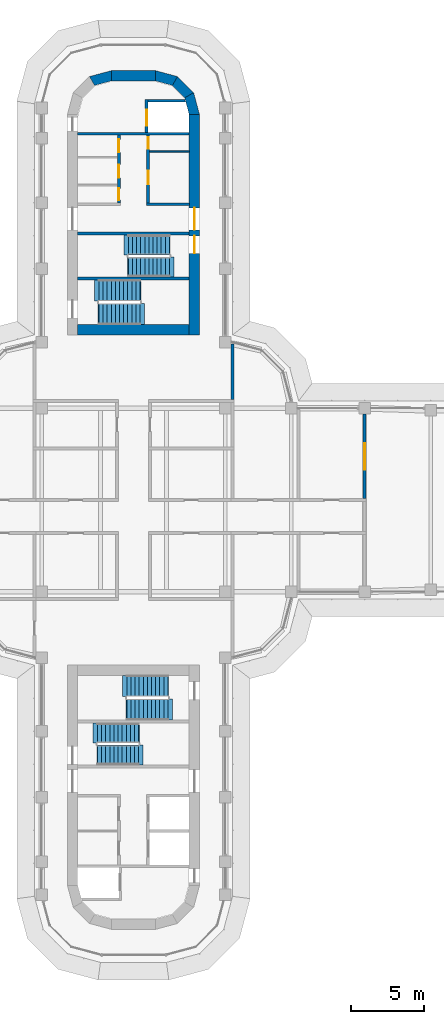
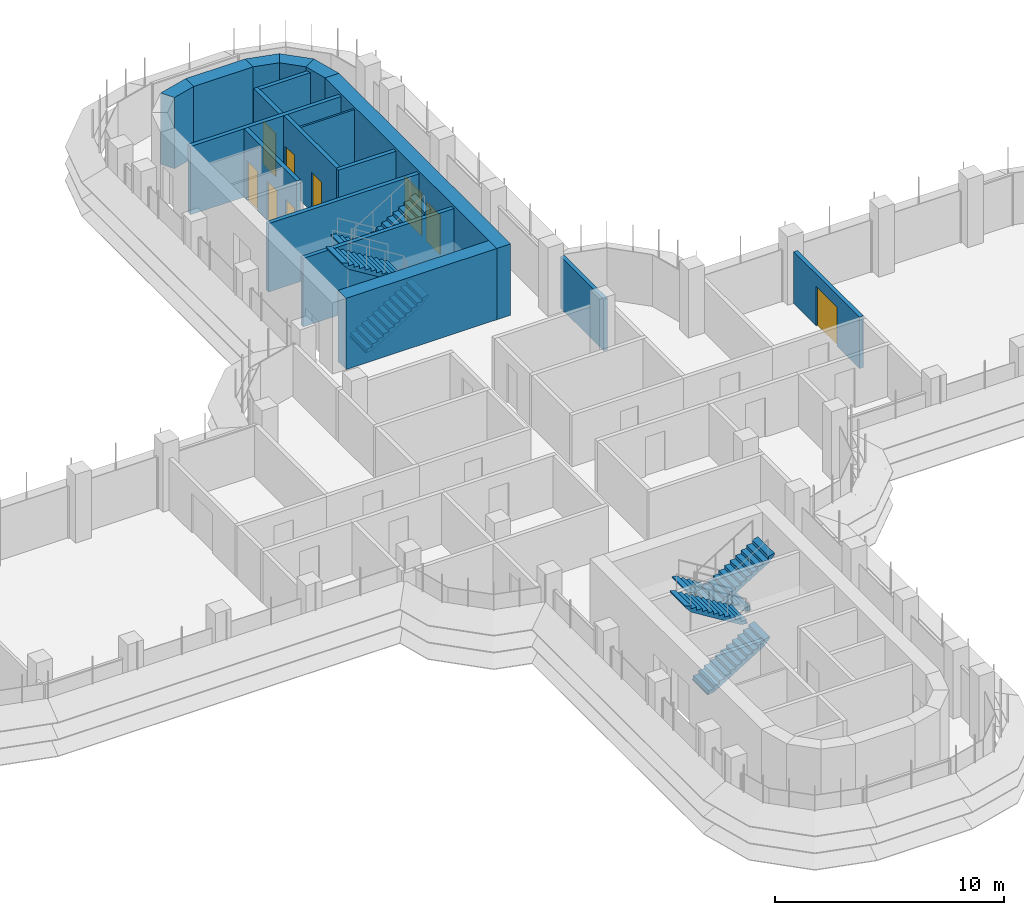
# One storey, part 15 of 19: 18 walls, 9 doors, 8 stair flights, 9 openings, 4 elements without a shape of their own.
"""IFC4 building model written with IfcOpenShell, lengths in metres."""

from ifc_helpers import new_model, si_unit, direction, frame, frame_2d, origin, place, context, subcontext, project, spatial, polyline, rectangle, outline, extrude, material, layer, layer_set, type_object, element, fill, aggregate, save


model = new_model("IFC4")

# Units and contexts
model_context = context("Model", 3, precision=1e-05, world=origin(), true_north=direction((0.0, 1.0)))
body_context = subcontext(model_context, "Body", "Model", "MODEL_VIEW")
ifc_project = project(units=[si_unit("LENGTHUNIT", "METRE"), si_unit("AREAUNIT", "SQUARE_METRE"), si_unit("VOLUMEUNIT", "CUBIC_METRE"), si_unit("PLANEANGLEUNIT", "RADIAN"), si_unit("MASSUNIT", "GRAM", prefix="KILO")], contexts=[model_context])

# Site, building, storey
site_placement = place(None, origin())
site = spatial("IfcSite", under=ifc_project, at=site_placement, CompositionType="ELEMENT")
building_placement = place(site_placement, origin())
building = spatial("IfcBuilding", under=site, at=building_placement, Name="Zarbagh Exchange Tower", CompositionType="ELEMENT")
storey_placement = place(building_placement, frame((0.0, 0.0, 160.0)))
storey = spatial("IfcBuildingStorey", under=building, at=storey_placement, Name="L38", CompositionType="ELEMENT", Elevation=160.0)

# Walls
ifc_material_1 = material(Name="Dense blockwork", Category="masonry")
ifc_layer_1 = layer(ifc_material_1, 0.10009765625)
ifc_layer_set_1 = layer_set([ifc_layer_1], Name="Core partition 100 mm blockwork")
wall_type_1 = type_object("IfcWallType", Name="Core partition 100 mm blockwork", PredefinedType="PARTITIONING", material=ifc_layer_set_1)
wall_1_placement = place(storey_placement, frame((1.10009765625, 23.75, 0.0), z_axis=(0.0, 0.0, 1.0), x_axis=(1.0, 0.0, 0.0)))
element("IfcWall", 1, at=wall_1_placement, inside=storey, type_object=wall_type_1, Name="North core partition wall CUT-E-460", PredefinedType="PARTITIONING", context=body_context, shape_type="SweptSolid", body=[
    extrude(rectangle(XDim=2.699951171875, YDim=0.10009765625, at=frame_2d((1.35009765625, 0.0))), origin(), (0.0, 0.0, 1.0), 3.64990234375),
])
ifc_material_2 = material(Name="Fire-rated plasterboard partition")
ifc_layer_2 = layer(ifc_material_2, 0.199951171875)
ifc_layer_set_2 = layer_set([ifc_layer_2], Name="RATED PARTITION 200")
wall_type_2 = type_object("IfcWallType", Name="RATED PARTITION 200", PredefinedType="PARTITIONING", material=ifc_layer_set_2)
wall_2_placement = place(storey_placement, frame((6.75, 6.85009765625, 0.0), z_axis=(0.0, 0.0, 1.0), x_axis=(0.0, 1.0, 0.0)))
element("IfcWall", 2, at=wall_2_placement, inside=storey, type_object=wall_type_2, Name="Partition W-1722", PredefinedType="PARTITIONING", context=body_context, shape_type="SweptSolid", body=[
    extrude(rectangle(XDim=3.77978515625, YDim=0.199951171875, at=frame_2d((1.889892578125, 0.0))), origin(), (0.0, 0.0, 1.0), 2.75),
])

# Wall, opening, door
wall_3_placement = place(storey_placement, frame((15.75, 5.85009765625, 0.0), z_axis=(0.0, 0.0, 1.0), x_axis=(0.0, -1.0, 0.0)))
wall_3 = element("IfcWall", 3, at=wall_3_placement, inside=storey, type_object=wall_type_2, Name="Partition W-1742", PredefinedType="PARTITIONING", context=body_context, shape_type="SweptSolid", body=[
    extrude(rectangle(XDim=5.75, YDim=0.199951171875, at=frame_2d((2.875, 0.0))), origin(), (0.0, 0.0, 1.0), 2.75),
])
opening_1_placement = place(wall_3_placement, frame((1.97509765625, 0.0, 0.0)))
opening_1 = element("IfcOpeningElement", 4, at=opening_1_placement, cuts=wall_3, Name="Opening D-1701", PredefinedType="OPENING", context=body_context, shape_type="SweptSolid", body=[
    extrude(rectangle(XDim=1.800048828125, YDim=2.10009765625, at=frame_2d((0.89990234375, 1.050048828125))), frame((0.0, 0.10986328125, 0.0), z_axis=(0.0, -1.0, 0.0), x_axis=(1.0, 0.0, 0.0)), (0.0, 0.0, 1.0), 0.219970703125),
])
ifc_material_3 = material(Name="Steel door set", Category="steel")
door_type_1 = type_object("IfcDoorType", Name="FIRE DOUBLE DOOR 1800 X 2100 FD30S", OperationType="DOUBLE_DOOR_SINGLE_SWING", PredefinedType="DOOR", material=ifc_material_3)
door_1_placement = place(opening_1_placement, origin())
door_1 = element("IfcDoor", 5, at=door_1_placement, inside=storey, type_object=door_type_1, Name="Door D-1701", OperationType="DOUBLE_DOOR_SINGLE_SWING", OverallHeight=2.10009765625, OverallWidth=1.800048828125, PredefinedType="DOOR", context=body_context, shape_type="SweptSolid", body=[
    extrude(rectangle(XDim=1.800048828125, YDim=2.10009765625, at=frame_2d((0.89990234375, 1.050048828125))), frame((0.0, 0.02490234375, 0.0), z_axis=(0.0, -1.0, 0.0), x_axis=(1.0, 0.0, 0.0)), (0.0, 0.0, 1.0), 0.050048828125),
])
fill(opening_1, door_1)

# Walls
ifc_material_4 = material(Name="Concrete C50/60", Category="concrete")
ifc_layer_3 = layer(ifc_material_4, 0.699951171875)
ifc_layer_set_3 = layer_set([ifc_layer_3], Name="RC core corner wall 700 C50/60")
wall_type_3 = type_object("IfcWallType", Name="RC core corner wall 700 C50/60", PredefinedType="SHEAR", material=ifc_layer_set_3)
wall_4_placement = place(storey_placement, origin())
element("IfcWall", 6, at=wall_4_placement, inside=storey, type_object=wall_type_3, Name="CW6 core N corner W", PredefinedType="SHEAR", context=body_context, shape_type="SweptSolid", body=[
    extrude(outline(polyline([(-3.0, 28.84814453125), (-1.5, 29.25), (-1.5, 28.550048828125), (-2.64990234375, 28.241943359375), (-3.0, 28.84814453125)])), origin(), (0.0, 0.0, 1.0), 3.800048828125),
])
wall_5_placement = place(storey_placement, origin())
element("IfcWall", 7, at=wall_5_placement, inside=storey, type_object=wall_type_3, Name="CW6 core N corner E", PredefinedType="SHEAR", context=body_context, shape_type="SweptSolid", body=[
    extrude(outline(polyline([(4.5, 26.25), (4.09814453125, 27.75), (3.491943359375, 27.39990234375), (3.800048828125, 26.25), (4.5, 26.25)])), origin(), (0.0, 0.0, 1.0), 3.800048828125),
])
wall_6_placement = place(storey_placement, origin())
element("IfcWall", 8, at=wall_6_placement, inside=storey, type_object=wall_type_3, Name="CW6 core N corner E", PredefinedType="SHEAR", context=body_context, shape_type="SweptSolid", body=[
    extrude(outline(polyline([(4.09814453125, 27.75), (3.0, 28.84814453125), (2.64990234375, 28.241943359375), (3.491943359375, 27.39990234375), (4.09814453125, 27.75)])), origin(), (0.0, 0.0, 1.0), 3.800048828125),
])
wall_7_placement = place(storey_placement, origin())
element("IfcWall", 9, at=wall_7_placement, inside=storey, type_object=wall_type_3, Name="CW6 core N corner E", PredefinedType="SHEAR", context=body_context, shape_type="SweptSolid", body=[
    extrude(outline(polyline([(3.0, 28.84814453125), (1.5, 29.25), (1.5, 28.550048828125), (2.64990234375, 28.241943359375), (3.0, 28.84814453125)])), origin(), (0.0, 0.0, 1.0), 3.800048828125),
])

# Wall, openings, doors
ifc_layer_4 = layer(ifc_material_4, 0.699951171875)
ifc_layer_set_4 = layer_set([ifc_layer_4], Name="RC core wall 700 C50/60")
wall_type_4 = type_object("IfcWallType", Name="RC core wall 700 C50/60", PredefinedType="SHEAR", material=ifc_layer_set_4)
wall_8_placement = place(storey_placement, frame((4.14990234375, 11.25, 0.0), z_axis=(0.0, 0.0, 1.0), x_axis=(0.0, 1.0, 0.0)))
wall_8 = element("IfcWall", 10, at=wall_8_placement, inside=storey, type_object=wall_type_4, Name="CW5 core N E", PredefinedType="SHEAR", context=body_context, shape_type="SweptSolid", body=[
    extrude(rectangle(XDim=15.0, YDim=0.699951171875, at=frame_2d((7.5, 0.0))), origin(), (0.0, 0.0, 1.0), 3.800048828125),
])
opening_2_placement = place(wall_8_placement, frame((7.14990234375, 0.0, 0.0)))
opening_2 = element("IfcOpeningElement", 11, at=opening_2_placement, cuts=wall_8, Name="Opening CD1-1500", PredefinedType="OPENING", context=body_context, shape_type="SweptSolid", body=[
    extrude(rectangle(XDim=1.5, YDim=2.300048828125, at=frame_2d((0.75, 1.14990234375))), frame((0.0, 0.35986328125, 0.0), z_axis=(0.0, -1.0, 0.0), x_axis=(1.0, 0.0, 0.0)), (0.0, 0.0, 1.0), 0.719970703125),
])
opening_3_placement = place(wall_8_placement, frame((5.550048828125, 0.0, 0.0)))
opening_3 = element("IfcOpeningElement", 12, at=opening_3_placement, cuts=wall_8, Name="Opening SD1-1200", PredefinedType="OPENING", context=body_context, shape_type="SweptSolid", body=[
    extrude(rectangle(XDim=1.199951171875, YDim=2.10009765625, at=frame_2d((0.60009765625, 1.050048828125))), frame((0.0, 0.35986328125, 0.0), z_axis=(0.0, -1.0, 0.0), x_axis=(1.0, 0.0, 0.0)), (0.0, 0.0, 1.0), 0.719970703125),
])
ifc_material_5 = material(Name="Steel", Category="steel")
door_type_2 = type_object("IfcDoorType", Name="Exit stair door 1200 x 2100", OperationType="NOTDEFINED", PredefinedType="DOOR", material=ifc_material_5)
door_2_placement = place(opening_3_placement, origin())
door_2 = element("IfcDoor", 13, at=door_2_placement, inside=storey, type_object=door_type_2, Name="North core stair door ST1", OperationType="SINGLE_SWING_RIGHT", OverallHeight=2.10009765625, OverallWidth=1.199951171875, PredefinedType="DOOR", context=body_context, shape_type="SweptSolid", body=[
    extrude(rectangle(XDim=1.199951171875, YDim=2.10009765625, at=frame_2d((0.60009765625, 1.050048828125))), frame((0.0, 0.02490234375, 0.0), z_axis=(0.0, -1.0, 0.0), x_axis=(1.0, 0.0, 0.0)), (0.0, 0.0, 1.0), 0.050048828125),
])
fill(opening_3, door_2)
door_type_3 = type_object("IfcDoorType", Name="Lift lobby double door 1500 x 2300", OperationType="NOTDEFINED", PredefinedType="DOOR", material=ifc_material_5)
door_3_placement = place(opening_2_placement, origin())
door_3 = element("IfcDoor", 14, at=door_3_placement, inside=storey, type_object=door_type_3, Name="North core lift lobby door LOBBY-E", OperationType="DOUBLE_DOOR_SINGLE_SWING", OverallHeight=2.300048828125, OverallWidth=1.5, PredefinedType="DOOR", context=body_context, shape_type="SweptSolid", body=[
    extrude(rectangle(XDim=1.5, YDim=2.300048828125, at=frame_2d((0.75, 1.14990234375))), frame((0.0, 0.02490234375, 0.0), z_axis=(0.0, -1.0, 0.0), x_axis=(1.0, 0.0, 0.0)), (0.0, 0.0, 1.0), 0.050048828125),
])
fill(opening_2, door_3)

# Walls
wall_9_placement = place(storey_placement, frame((-3.800048828125, 11.60009765625, 0.0), z_axis=(0.0, 0.0, 1.0), x_axis=(1.0, 0.0, 0.0)))
element("IfcWall", 15, at=wall_9_placement, inside=storey, type_object=wall_type_4, Name="CW5 core N inner end", PredefinedType="SHEAR", context=body_context, shape_type="SweptSolid", body=[
    extrude(rectangle(XDim=7.60009765625, YDim=0.699951171875, at=frame_2d((3.800048828125, 0.0))), origin(), (0.0, 0.0, 1.0), 3.800048828125),
])
wall_10_placement = place(storey_placement, frame((-1.5, 28.89990234375, 0.0), z_axis=(0.0, 0.0, 1.0), x_axis=(1.0, 0.0, 0.0)))
element("IfcWall", 16, at=wall_10_placement, inside=storey, type_object=wall_type_4, Name="CW5 core N outer end", PredefinedType="SHEAR", context=body_context, shape_type="SweptSolid", body=[
    extrude(rectangle(XDim=3.0, YDim=0.699951171875, at=frame_2d((1.5, 0.0))), origin(), (0.0, 0.0, 1.0), 3.800048828125),
])

# Wall, openings, doors
ifc_layer_5 = layer(ifc_material_1, 0.199951171875)
ifc_layer_set_5 = layer_set([ifc_layer_5], Name="Shaft wall 200 mm blockwork")
wall_type_5 = type_object("IfcWallType", Name="Shaft wall 200 mm blockwork", PredefinedType="PARTITIONING", material=ifc_layer_set_5)
wall_11_placement = place(storey_placement, frame((-1.0, 24.85009765625, 0.0), z_axis=(0.0, 0.0, 1.0), x_axis=(0.0, -1.0, 0.0)))
wall_11 = element("IfcWall", 17, at=wall_11_placement, inside=storey, type_object=wall_type_5, Name="North core shaft wall LW-W", PredefinedType="PARTITIONING", context=body_context, shape_type="SweptSolid", body=[
    extrude(rectangle(XDim=4.60009765625, YDim=0.199951171875, at=frame_2d((2.300048828125, 0.0))), origin(), (0.0, 0.0, 1.0), 3.64990234375),
])
opening_4_placement = place(wall_11_placement, frame((0.27490234375, 0.0, 0.0)))
opening_4 = element("IfcOpeningElement", 18, at=opening_4_placement, cuts=wall_11, Name="Opening CD3-900", PredefinedType="OPENING", context=body_context, shape_type="SweptSolid", body=[
    extrude(rectangle(XDim=0.89990234375, YDim=2.10009765625, at=frame_2d((0.449951171875, 1.050048828125))), frame((0.0, 0.10986328125, 0.0), z_axis=(0.0, -1.0, 0.0), x_axis=(1.0, 0.0, 0.0)), (0.0, 0.0, 1.0), 0.219970703125),
])
opening_5_placement = place(wall_11_placement, frame((2.0, 0.0, 0.0)))
opening_5 = element("IfcOpeningElement", 19, at=opening_5_placement, cuts=wall_11, Name="Opening CD3-900", PredefinedType="OPENING", context=body_context, shape_type="SweptSolid", body=[
    extrude(rectangle(XDim=0.89990234375, YDim=2.10009765625, at=frame_2d((0.449951171875, 1.050048828125))), frame((0.0, 0.10986328125, 0.0), z_axis=(0.0, -1.0, 0.0), x_axis=(1.0, 0.0, 0.0)), (0.0, 0.0, 1.0), 0.219970703125),
])
opening_6_placement = place(wall_11_placement, frame((3.625, 0.0, 0.0)))
opening_6 = element("IfcOpeningElement", 20, at=opening_6_placement, cuts=wall_11, Name="Opening CD3-800", PredefinedType="OPENING", context=body_context, shape_type="SweptSolid", body=[
    extrude(rectangle(XDim=0.800048828125, YDim=2.10009765625, at=frame_2d((0.39990234375, 1.050048828125))), frame((0.0, 0.10986328125, 0.0), z_axis=(0.0, -1.0, 0.0), x_axis=(1.0, 0.0, 0.0)), (0.0, 0.0, 1.0), 0.219970703125),
])
door_type_4 = type_object("IfcDoorType", Name="Core room door 800 x 2100", OperationType="NOTDEFINED", PredefinedType="DOOR", material=ifc_material_5)
door_4_placement = place(opening_6_placement, origin())
door_4 = element("IfcDoor", 21, at=door_4_placement, inside=storey, type_object=door_type_4, Name="North core IT room door RD-W-2", OperationType="SINGLE_SWING_RIGHT", OverallHeight=2.10009765625, OverallWidth=0.800048828125, PredefinedType="DOOR", context=body_context, shape_type="SweptSolid", body=[
    extrude(rectangle(XDim=0.800048828125, YDim=2.10009765625, at=frame_2d((0.39990234375, 1.050048828125))), frame((0.0, 0.02490234375, 0.0), z_axis=(0.0, -1.0, 0.0), x_axis=(1.0, 0.0, 0.0)), (0.0, 0.0, 1.0), 0.050048828125),
])
fill(opening_6, door_4)
door_type_5 = type_object("IfcDoorType", Name="Core room door 900 x 2100", OperationType="NOTDEFINED", PredefinedType="DOOR", material=ifc_material_5)
door_5_placement = place(opening_4_placement, origin())
door_5 = element("IfcDoor", 22, at=door_5_placement, inside=storey, type_object=door_type_5, Name="North core Cleaner's store door RD-W-0", OperationType="SINGLE_SWING_RIGHT", OverallHeight=2.10009765625, OverallWidth=0.89990234375, PredefinedType="DOOR", context=body_context, shape_type="SweptSolid", body=[
    extrude(rectangle(XDim=0.89990234375, YDim=2.10009765625, at=frame_2d((0.449951171875, 1.050048828125))), frame((0.0, 0.02490234375, 0.0), z_axis=(0.0, -1.0, 0.0), x_axis=(1.0, 0.0, 0.0)), (0.0, 0.0, 1.0), 0.050048828125),
])
fill(opening_4, door_5)
door_6_placement = place(opening_5_placement, origin())
door_6 = element("IfcDoor", 23, at=door_6_placement, inside=storey, type_object=door_type_5, Name="North core Pantry door RD-W-1", OperationType="SINGLE_SWING_LEFT", OverallHeight=2.10009765625, OverallWidth=0.89990234375, PredefinedType="DOOR", context=body_context, shape_type="SweptSolid", body=[
    extrude(rectangle(XDim=0.89990234375, YDim=2.10009765625, at=frame_2d((0.449951171875, 1.050048828125))), frame((0.0, 0.02490234375, 0.0), z_axis=(0.0, -1.0, 0.0), x_axis=(1.0, 0.0, 0.0)), (0.0, 0.0, 1.0), 0.050048828125),
])
fill(opening_5, door_6)

# Wall
wall_12_placement = place(storey_placement, frame((0.89990234375, 20.14990234375, 0.0), z_axis=(0.0, 0.0, 1.0), x_axis=(1.0, 0.0, 0.0)))
element("IfcWall", 24, at=wall_12_placement, inside=storey, type_object=wall_type_5, Name="North core shaft wall AB-E", PredefinedType="PARTITIONING", context=body_context, shape_type="SweptSolid", body=[
    extrude(rectangle(XDim=2.900146484375, YDim=0.199951171875, at=frame_2d((1.4501953125, 0.0))), origin(), (0.0, 0.0, 1.0), 3.64990234375),
])

# Wall, openings, doors
wall_13_placement = place(storey_placement, frame((1.0, 24.85009765625, 0.0), z_axis=(0.0, 0.0, 1.0), x_axis=(0.0, -1.0, 0.0)))
wall_13 = element("IfcWall", 25, at=wall_13_placement, inside=storey, type_object=wall_type_5, Name="North core shaft wall LW-E", PredefinedType="PARTITIONING", context=body_context, shape_type="SweptSolid", body=[
    extrude(rectangle(XDim=4.60009765625, YDim=0.199951171875, at=frame_2d((2.300048828125, 0.0))), origin(), (0.0, 0.0, 1.0), 3.64990234375),
])
opening_7_placement = place(wall_13_placement, frame((0.125, 0.0, 0.0)))
opening_7 = element("IfcOpeningElement", 26, at=opening_7_placement, cuts=wall_13, Name="Opening CD3-800", PredefinedType="OPENING", context=body_context, shape_type="SweptSolid", body=[
    extrude(rectangle(XDim=0.800048828125, YDim=2.10009765625, at=frame_2d((0.39990234375, 1.050048828125))), frame((0.0, 0.10986328125, 0.0), z_axis=(0.0, -1.0, 0.0), x_axis=(1.0, 0.0, 0.0)), (0.0, 0.0, 1.0), 0.219970703125),
])
opening_8_placement = place(wall_13_placement, frame((2.425048828125, 0.0, 0.0)))
opening_8 = element("IfcOpeningElement", 27, at=opening_8_placement, cuts=wall_13, Name="Opening CD3-900", PredefinedType="OPENING", context=body_context, shape_type="SweptSolid", body=[
    extrude(rectangle(XDim=0.89990234375, YDim=2.10009765625, at=frame_2d((0.449951171875, 1.050048828125))), frame((0.0, 0.10986328125, 0.0), z_axis=(0.0, -1.0, 0.0), x_axis=(1.0, 0.0, 0.0)), (0.0, 0.0, 1.0), 0.219970703125),
])
door_7_placement = place(opening_7_placement, origin())
door_7 = element("IfcDoor", 28, at=door_7_placement, inside=storey, type_object=door_type_4, Name="North core Store door RD-E-0", OperationType="SINGLE_SWING_LEFT", OverallHeight=2.10009765625, OverallWidth=0.800048828125, PredefinedType="DOOR", context=body_context, shape_type="SweptSolid", body=[
    extrude(rectangle(XDim=0.800048828125, YDim=2.10009765625, at=frame_2d((0.39990234375, 1.050048828125))), frame((0.0, 0.02490234375, 0.0), z_axis=(0.0, -1.0, 0.0), x_axis=(1.0, 0.0, 0.0)), (0.0, 0.0, 1.0), 0.050048828125),
])
fill(opening_7, door_7)
door_8_placement = place(opening_8_placement, origin())
door_8 = element("IfcDoor", 29, at=door_8_placement, inside=storey, type_object=door_type_5, Name="North core Staff WC door RD-E-1", OperationType="SINGLE_SWING_RIGHT", OverallHeight=2.10009765625, OverallWidth=0.89990234375, PredefinedType="DOOR", context=body_context, shape_type="SweptSolid", body=[
    extrude(rectangle(XDim=0.89990234375, YDim=2.10009765625, at=frame_2d((0.449951171875, 1.050048828125))), frame((0.0, 0.02490234375, 0.0), z_axis=(0.0, -1.0, 0.0), x_axis=(1.0, 0.0, 0.0)), (0.0, 0.0, 1.0), 0.050048828125),
])
fill(opening_8, door_8)

# Wall
ifc_material_6 = material(Name="Concrete C40/50", Category="concrete")
ifc_layer_6 = layer(ifc_material_6, 0.199951171875)
ifc_layer_set_6 = layer_set([ifc_layer_6], Name="Stair enclosure wall 200 mm RC C40/50")
wall_type_6 = type_object("IfcWallType", Name="Stair enclosure wall 200 mm RC C40/50", PredefinedType="SHEAR", material=ifc_layer_set_6)
wall_14_placement = place(storey_placement, frame((-3.800048828125, 24.949951171875, 0.0), z_axis=(0.0, 0.0, 1.0), x_axis=(1.0, 0.0, 0.0)))
element("IfcWall", 30, at=wall_14_placement, inside=storey, type_object=wall_type_6, Name="North core lift shaft wall FFA", PredefinedType="SHEAR", context=body_context, shape_type="SweptSolid", body=[
    extrude(rectangle(XDim=7.60009765625, YDim=0.199951171875, at=frame_2d((3.800048828125, 0.0))), origin(), (0.0, 0.0, 1.0), 3.64990234375),
])

# Wall, opening, door
wall_15_placement = place(storey_placement, frame((0.89990234375, 27.300048828125, 0.0), z_axis=(0.0, 0.0, 1.0), x_axis=(0.0, -1.0, 0.0)))
wall_15 = element("IfcWall", 31, at=wall_15_placement, inside=storey, type_object=wall_type_6, Name="North core lift shaft wall FFL", PredefinedType="SHEAR", context=body_context, shape_type="SweptSolid", body=[
    extrude(rectangle(XDim=2.25, YDim=0.199951171875, at=frame_2d((1.125, 0.0))), origin(), (0.0, 0.0, 1.0), 3.64990234375),
])
opening_9_placement = place(wall_15_placement, frame((0.699951171875, 0.0, 0.0)))
opening_9 = element("IfcOpeningElement", 32, at=opening_9_placement, cuts=wall_15, Name="Opening LD-1100", PredefinedType="OPENING", context=body_context, shape_type="SweptSolid", body=[
    extrude(rectangle(XDim=1.10009765625, YDim=2.300048828125, at=frame_2d((0.550048828125, 1.14990234375))), frame((0.0, 0.10986328125, 0.0), z_axis=(0.0, -1.0, 0.0), x_axis=(1.0, 0.0, 0.0)), (0.0, 0.0, 1.0), 0.219970703125),
])
ifc_material_7 = material(Name="Stainless steel", Category="steel")
door_type_6 = type_object("IfcDoorType", Name="Lift landing door 1100 x 2300", OperationType="NOTDEFINED", PredefinedType="DOOR", material=ifc_material_7)
door_9_placement = place(opening_9_placement, origin())
door_9 = element("IfcDoor", 33, at=door_9_placement, inside=storey, type_object=door_type_6, Name="North core lift landing door LD-F", OperationType="DOUBLE_DOOR_SLIDING", OverallHeight=2.300048828125, OverallWidth=1.10009765625, PredefinedType="DOOR", context=body_context, shape_type="SweptSolid", body=[
    extrude(rectangle(XDim=1.10009765625, YDim=2.300048828125, at=frame_2d((0.550048828125, 1.14990234375))), frame((0.0, 0.02490234375, 0.0), z_axis=(0.0, -1.0, 0.0), x_axis=(1.0, 0.0, 0.0)), (0.0, 0.0, 1.0), 0.050048828125),
])
fill(opening_9, door_9)

# Walls
wall_16_placement = place(storey_placement, origin())
element("IfcWall", 34, at=wall_16_placement, inside=storey, type_object=wall_type_6, Name="North core lift shaft wall FFX", PredefinedType="SHEAR", context=body_context, shape_type="SweptSolid", body=[
    extrude(outline(polyline([(1.0, 27.10009765625), (3.547607421875, 27.10009765625), (3.493896484375, 27.300048828125), (1.0, 27.300048828125), (1.0, 27.10009765625)])), origin(), (0.0, 0.0, 1.0), 3.64990234375),
])
for number, where, z_axis, x_axis, name in (
    (35, (-3.800048828125, 18.14990234375, 0.0), (0.0, 0.0, 1.0), (1.0, 0.0, 0.0), "North core stair wall BS"),
    (36, (-3.800048828125, 15.10009765625, 0.0), (0.0, 0.0, 1.0), (1.0, 0.0, 0.0), "North core stair wall ST12"),
):
    element("IfcWall", number, at=place(storey_placement, frame(where, z_axis=z_axis, x_axis=x_axis)), inside=storey, type_object=wall_type_6, Name=name, PredefinedType="SHEAR", context=body_context, shape_type="SweptSolid", body=[
        extrude(rectangle(XDim=7.60009765625, YDim=0.199951171875, at=frame_2d((3.800048828125, 0.0))), origin(), (0.0, 0.0, 1.0), 3.64990234375),
    ])

# Stair, stair flights
stair_type = type_object("IfcStairType", Name="Exit stair two-flight half-turn", PredefinedType="HALF_TURN_STAIR", material=ifc_material_6)
stair_1_placement = place(storey_placement, origin())
stair_1 = element("IfcStair", 37, at=stair_1_placement, inside=storey, type_object=stair_type, Name="exit stair ST1", PredefinedType="HALF_TURN_STAIR")
stair_flight_type_1 = type_object("IfcStairFlightType", Name="Stair flight 1350 mm", PredefinedType="STRAIGHT", material=ifc_material_6)
stair_flight_1_placement = place(storey_placement, frame((2.449951171875, 17.375, 0.0), z_axis=(0.0, 0.0, 1.0), x_axis=(-1.0, 0.0, 0.0)))
stair_flight_1 = element("IfcStairFlight", 38, at=stair_flight_1_placement, type_object=stair_flight_type_1, Name="ST1 flight 1", NumberOfRisers=11, NumberOfTreads=10, PredefinedType="STRAIGHT", RiserHeight=0.172727273, TreadLength=0.28, context=body_context, shape_type="SweptSolid", body=[
    extrude(outline(polyline([(-0.050048828125, -0.050048828125), (-0.050048828125, 0.0), (0.0, 0.0), (0.0, 0.172607421875), (0.280029296875, 0.172607421875), (0.280029296875, 0.345458984375), (0.56005859375, 0.345458984375), (0.56005859375, 0.51806640625), (0.840087890625, 0.51806640625), (0.840087890625, 0.69091796875), (1.1201171875, 0.69091796875), (1.1201171875, 0.863525390625), (1.39990234375, 0.863525390625), (1.39990234375, 1.036376953125), (1.679931640625, 1.036376953125), (1.679931640625, 1.208984375), (1.9599609375, 1.208984375), (1.9599609375, 1.3818359375), (2.239990234375, 1.3818359375), (2.239990234375, 1.554443359375), (2.52001953125, 1.554443359375), (2.52001953125, 1.727294921875), (2.800048828125, 1.727294921875), (2.800048828125, 1.89990234375), (3.10009765625, 1.97998046875), (3.10009765625, 1.89990234375), (2.800048828125, 1.551025390625), (0.285400390625, 0.0), (-0.050048828125, -0.050048828125)])), frame((0.0, 0.675048828125, 0.0), z_axis=(0.0, -1.0, 0.0), x_axis=(1.0, 0.0, 0.0)), (0.0, 0.0, 1.0), 1.35009765625),
])
stair_flight_2_placement = place(storey_placement, frame((-0.35009765625, 15.875, 1.89990234375), z_axis=(0.0, 0.0, 1.0), x_axis=(1.0, 0.0, 0.0)))
stair_flight_2 = element("IfcStairFlight", 39, at=stair_flight_2_placement, type_object=stair_flight_type_1, Name="ST1 flight 2", NumberOfRisers=11, NumberOfTreads=10, PredefinedType="STRAIGHT", RiserHeight=0.172727273, TreadLength=0.28, context=body_context, shape_type="SweptSolid", body=[
    extrude(outline(polyline([(-0.050048828125, -0.050048828125), (-0.050048828125, 0.0), (0.0, 0.0), (0.0, 0.172607421875), (0.280029296875, 0.172607421875), (0.280029296875, 0.345458984375), (0.56005859375, 0.345458984375), (0.56005859375, 0.51806640625), (0.840087890625, 0.51806640625), (0.840087890625, 0.69091796875), (1.1201171875, 0.69091796875), (1.1201171875, 0.863525390625), (1.39990234375, 0.863525390625), (1.39990234375, 1.036376953125), (1.679931640625, 1.036376953125), (1.679931640625, 1.208984375), (1.9599609375, 1.208984375), (1.9599609375, 1.3818359375), (2.239990234375, 1.3818359375), (2.239990234375, 1.554443359375), (2.52001953125, 1.554443359375), (2.52001953125, 1.727294921875), (2.800048828125, 1.727294921875), (2.800048828125, 1.89990234375), (3.10009765625, 1.97998046875), (3.10009765625, 1.89990234375), (2.800048828125, 1.551025390625), (0.285400390625, 0.0), (-0.050048828125, -0.050048828125)])), frame((0.0, 0.675048828125, 0.0), z_axis=(0.0, -1.0, 0.0), x_axis=(1.0, 0.0, 0.0)), (0.0, 0.0, 1.0), 1.35009765625),
])
aggregate(stair_1, [stair_flight_1, stair_flight_2])

stair_2_placement = place(storey_placement, origin())
stair_2 = element("IfcStair", 40, at=stair_2_placement, inside=storey, type_object=stair_type, Name="exit stair ST3", PredefinedType="HALF_TURN_STAIR")
stair_flight_3_placement = place(storey_placement, frame((-2.449951171875, -17.375, 0.0), z_axis=(0.0, 0.0, 1.0), x_axis=(1.0, 0.0, 0.0)))
stair_flight_3 = element("IfcStairFlight", 41, at=stair_flight_3_placement, type_object=stair_flight_type_1, Name="ST3 flight 1", NumberOfRisers=11, NumberOfTreads=10, PredefinedType="STRAIGHT", RiserHeight=0.172727273, TreadLength=0.28, context=body_context, shape_type="SweptSolid", body=[
    extrude(outline(polyline([(-0.050048828125, -0.050048828125), (-0.050048828125, 0.0), (0.0, 0.0), (0.0, 0.172607421875), (0.280029296875, 0.172607421875), (0.280029296875, 0.345458984375), (0.56005859375, 0.345458984375), (0.56005859375, 0.51806640625), (0.840087890625, 0.51806640625), (0.840087890625, 0.69091796875), (1.1201171875, 0.69091796875), (1.1201171875, 0.863525390625), (1.39990234375, 0.863525390625), (1.39990234375, 1.036376953125), (1.679931640625, 1.036376953125), (1.679931640625, 1.208984375), (1.9599609375, 1.208984375), (1.9599609375, 1.3818359375), (2.239990234375, 1.3818359375), (2.239990234375, 1.554443359375), (2.52001953125, 1.554443359375), (2.52001953125, 1.727294921875), (2.800048828125, 1.727294921875), (2.800048828125, 1.89990234375), (3.10009765625, 1.97998046875), (3.10009765625, 1.89990234375), (2.800048828125, 1.551025390625), (0.285400390625, 0.0), (-0.050048828125, -0.050048828125)])), frame((0.0, 0.675048828125, 0.0), z_axis=(0.0, -1.0, 0.0), x_axis=(1.0, 0.0, 0.0)), (0.0, 0.0, 1.0), 1.35009765625),
])
stair_flight_4_placement = place(storey_placement, frame((0.35009765625, -15.875, 1.89990234375), z_axis=(0.0, 0.0, 1.0), x_axis=(-1.0, 0.0, 0.0)))
stair_flight_4 = element("IfcStairFlight", 42, at=stair_flight_4_placement, type_object=stair_flight_type_1, Name="ST3 flight 2", NumberOfRisers=11, NumberOfTreads=10, PredefinedType="STRAIGHT", RiserHeight=0.172727273, TreadLength=0.28, context=body_context, shape_type="SweptSolid", body=[
    extrude(outline(polyline([(-0.050048828125, -0.050048828125), (-0.050048828125, 0.0), (0.0, 0.0), (0.0, 0.172607421875), (0.280029296875, 0.172607421875), (0.280029296875, 0.345458984375), (0.56005859375, 0.345458984375), (0.56005859375, 0.51806640625), (0.840087890625, 0.51806640625), (0.840087890625, 0.69091796875), (1.1201171875, 0.69091796875), (1.1201171875, 0.863525390625), (1.39990234375, 0.863525390625), (1.39990234375, 1.036376953125), (1.679931640625, 1.036376953125), (1.679931640625, 1.208984375), (1.9599609375, 1.208984375), (1.9599609375, 1.3818359375), (2.239990234375, 1.3818359375), (2.239990234375, 1.554443359375), (2.52001953125, 1.554443359375), (2.52001953125, 1.727294921875), (2.800048828125, 1.727294921875), (2.800048828125, 1.89990234375), (3.10009765625, 1.97998046875), (3.10009765625, 1.89990234375), (2.800048828125, 1.551025390625), (0.285400390625, 0.0), (-0.050048828125, -0.050048828125)])), frame((0.0, 0.675048828125, 0.0), z_axis=(0.0, -1.0, 0.0), x_axis=(1.0, 0.0, 0.0)), (0.0, 0.0, 1.0), 1.35009765625),
])
aggregate(stair_2, [stair_flight_3, stair_flight_4])

stair_3_placement = place(storey_placement, origin())
stair_3 = element("IfcStair", 43, at=stair_3_placement, inside=storey, type_object=stair_type, Name="exit stair ST2", PredefinedType="HALF_TURN_STAIR")
stair_flight_type_2 = type_object("IfcStairFlightType", Name="Stair flight 1450 mm", PredefinedType="STRAIGHT", material=ifc_material_6)
stair_flight_5_placement = place(storey_placement, frame((-2.35009765625, 12.675048828125, 0.0), z_axis=(0.0, 0.0, 1.0), x_axis=(1.0, 0.0, 0.0)))
stair_flight_5 = element("IfcStairFlight", 44, at=stair_flight_5_placement, type_object=stair_flight_type_2, Name="ST2 flight 1", NumberOfRisers=11, NumberOfTreads=10, PredefinedType="STRAIGHT", RiserHeight=0.172727273, TreadLength=0.28, context=body_context, shape_type="SweptSolid", body=[
    extrude(outline(polyline([(-0.050048828125, -0.050048828125), (-0.050048828125, 0.0), (0.0, 0.0), (0.0, 0.172607421875), (0.280029296875, 0.172607421875), (0.280029296875, 0.345458984375), (0.56005859375, 0.345458984375), (0.56005859375, 0.51806640625), (0.840087890625, 0.51806640625), (0.840087890625, 0.69091796875), (1.1201171875, 0.69091796875), (1.1201171875, 0.863525390625), (1.39990234375, 0.863525390625), (1.39990234375, 1.036376953125), (1.679931640625, 1.036376953125), (1.679931640625, 1.208984375), (1.9599609375, 1.208984375), (1.9599609375, 1.3818359375), (2.239990234375, 1.3818359375), (2.239990234375, 1.554443359375), (2.52001953125, 1.554443359375), (2.52001953125, 1.727294921875), (2.800048828125, 1.727294921875), (2.800048828125, 1.89990234375), (3.10009765625, 1.97998046875), (3.10009765625, 1.89990234375), (2.800048828125, 1.551025390625), (0.285400390625, 0.0), (-0.050048828125, -0.050048828125)])), frame((0.0, 0.72509765625, 0.0), z_axis=(0.0, -1.0, 0.0), x_axis=(1.0, 0.0, 0.0)), (0.0, 0.0, 1.0), 1.449951171875),
])
stair_flight_6_placement = place(storey_placement, frame((0.449951171875, 14.27490234375, 1.89990234375), z_axis=(0.0, 0.0, 1.0), x_axis=(-1.0, 0.0, 0.0)))
stair_flight_6 = element("IfcStairFlight", 45, at=stair_flight_6_placement, type_object=stair_flight_type_2, Name="ST2 flight 2", NumberOfRisers=11, NumberOfTreads=10, PredefinedType="STRAIGHT", RiserHeight=0.172727273, TreadLength=0.28, context=body_context, shape_type="SweptSolid", body=[
    extrude(outline(polyline([(-0.050048828125, -0.050048828125), (-0.050048828125, 0.0), (0.0, 0.0), (0.0, 0.172607421875), (0.280029296875, 0.172607421875), (0.280029296875, 0.345458984375), (0.56005859375, 0.345458984375), (0.56005859375, 0.51806640625), (0.840087890625, 0.51806640625), (0.840087890625, 0.69091796875), (1.1201171875, 0.69091796875), (1.1201171875, 0.863525390625), (1.39990234375, 0.863525390625), (1.39990234375, 1.036376953125), (1.679931640625, 1.036376953125), (1.679931640625, 1.208984375), (1.9599609375, 1.208984375), (1.9599609375, 1.3818359375), (2.239990234375, 1.3818359375), (2.239990234375, 1.554443359375), (2.52001953125, 1.554443359375), (2.52001953125, 1.727294921875), (2.800048828125, 1.727294921875), (2.800048828125, 1.89990234375), (3.10009765625, 1.97998046875), (3.10009765625, 1.89990234375), (2.800048828125, 1.551025390625), (0.285400390625, 0.0), (-0.050048828125, -0.050048828125)])), frame((0.0, 0.72509765625, 0.0), z_axis=(0.0, -1.0, 0.0), x_axis=(1.0, 0.0, 0.0)), (0.0, 0.0, 1.0), 1.449951171875),
])
aggregate(stair_3, [stair_flight_5, stair_flight_6])

stair_4_placement = place(storey_placement, origin())
stair_4 = element("IfcStair", 46, at=stair_4_placement, inside=storey, type_object=stair_type, Name="exit stair ST4", PredefinedType="HALF_TURN_STAIR")
stair_flight_7_placement = place(storey_placement, frame((2.35009765625, -12.675048828125, 0.0), z_axis=(0.0, 0.0, 1.0), x_axis=(-1.0, 0.0, 0.0)))
stair_flight_7 = element("IfcStairFlight", 47, at=stair_flight_7_placement, type_object=stair_flight_type_2, Name="ST4 flight 1", NumberOfRisers=11, NumberOfTreads=10, PredefinedType="STRAIGHT", RiserHeight=0.172727273, TreadLength=0.28, context=body_context, shape_type="SweptSolid", body=[
    extrude(outline(polyline([(-0.050048828125, -0.050048828125), (-0.050048828125, 0.0), (0.0, 0.0), (0.0, 0.172607421875), (0.280029296875, 0.172607421875), (0.280029296875, 0.345458984375), (0.56005859375, 0.345458984375), (0.56005859375, 0.51806640625), (0.840087890625, 0.51806640625), (0.840087890625, 0.69091796875), (1.1201171875, 0.69091796875), (1.1201171875, 0.863525390625), (1.39990234375, 0.863525390625), (1.39990234375, 1.036376953125), (1.679931640625, 1.036376953125), (1.679931640625, 1.208984375), (1.9599609375, 1.208984375), (1.9599609375, 1.3818359375), (2.239990234375, 1.3818359375), (2.239990234375, 1.554443359375), (2.52001953125, 1.554443359375), (2.52001953125, 1.727294921875), (2.800048828125, 1.727294921875), (2.800048828125, 1.89990234375), (3.10009765625, 1.97998046875), (3.10009765625, 1.89990234375), (2.800048828125, 1.551025390625), (0.285400390625, 0.0), (-0.050048828125, -0.050048828125)])), frame((0.0, 0.72509765625, 0.0), z_axis=(0.0, -1.0, 0.0), x_axis=(1.0, 0.0, 0.0)), (0.0, 0.0, 1.0), 1.449951171875),
])
stair_flight_8_placement = place(storey_placement, frame((-0.449951171875, -14.27490234375, 1.89990234375), z_axis=(0.0, 0.0, 1.0), x_axis=(1.0, 0.0, 0.0)))
stair_flight_8 = element("IfcStairFlight", 48, at=stair_flight_8_placement, type_object=stair_flight_type_2, Name="ST4 flight 2", NumberOfRisers=11, NumberOfTreads=10, PredefinedType="STRAIGHT", RiserHeight=0.172727273, TreadLength=0.28, context=body_context, shape_type="SweptSolid", body=[
    extrude(outline(polyline([(-0.050048828125, -0.050048828125), (-0.050048828125, 0.0), (0.0, 0.0), (0.0, 0.172607421875), (0.280029296875, 0.172607421875), (0.280029296875, 0.345458984375), (0.56005859375, 0.345458984375), (0.56005859375, 0.51806640625), (0.840087890625, 0.51806640625), (0.840087890625, 0.69091796875), (1.1201171875, 0.69091796875), (1.1201171875, 0.863525390625), (1.39990234375, 0.863525390625), (1.39990234375, 1.036376953125), (1.679931640625, 1.036376953125), (1.679931640625, 1.208984375), (1.9599609375, 1.208984375), (1.9599609375, 1.3818359375), (2.239990234375, 1.3818359375), (2.239990234375, 1.554443359375), (2.52001953125, 1.554443359375), (2.52001953125, 1.727294921875), (2.800048828125, 1.727294921875), (2.800048828125, 1.89990234375), (3.10009765625, 1.97998046875), (3.10009765625, 1.89990234375), (2.800048828125, 1.551025390625), (0.285400390625, 0.0), (-0.050048828125, -0.050048828125)])), frame((0.0, 0.72509765625, 0.0), z_axis=(0.0, -1.0, 0.0), x_axis=(1.0, 0.0, 0.0)), (0.0, 0.0, 1.0), 1.449951171875),
])
aggregate(stair_4, [stair_flight_7, stair_flight_8])

save(model, "model.ifc")
